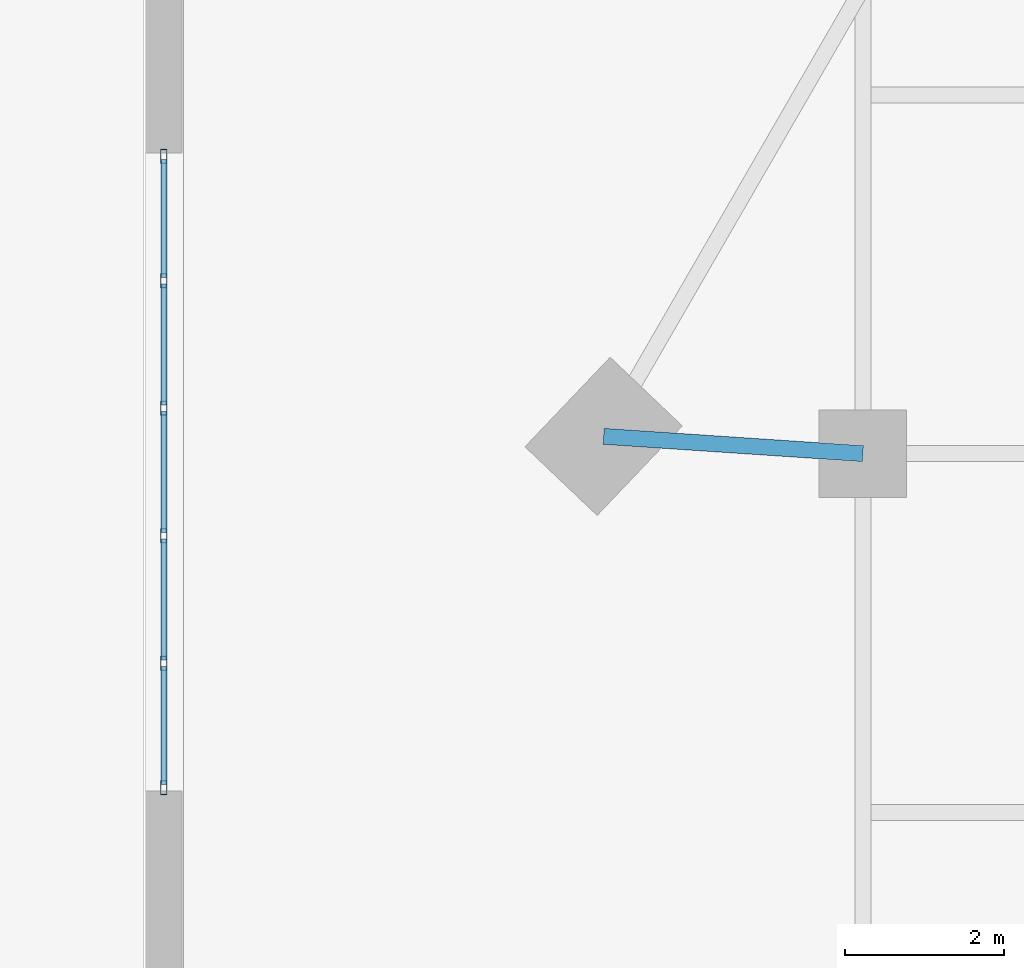
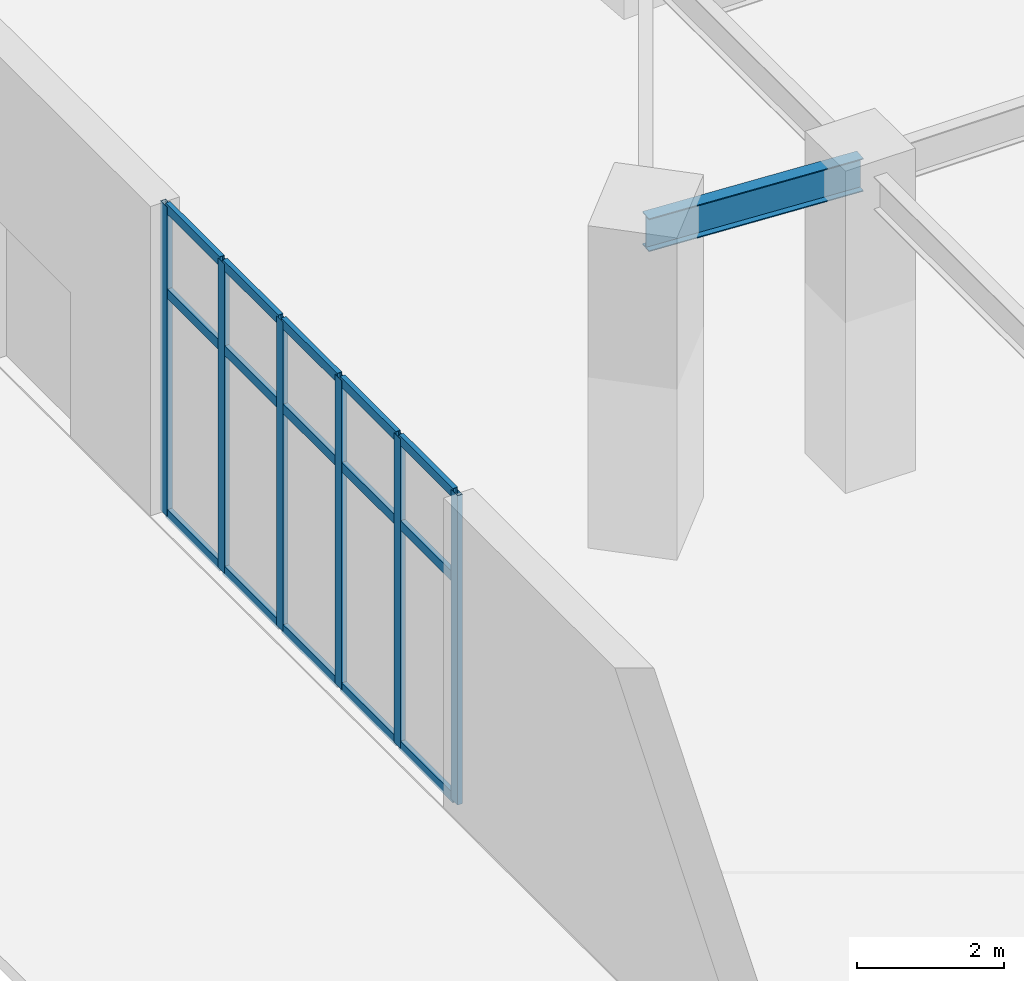
# One storey, part 13 of 30: 21 members, 1 beam, 1 element without a shape of its own.
"""IFC4 building model written with IfcOpenShell, lengths in metres."""

from ifc_helpers import new_model, si_unit, direction, frame, origin, origin_2d, place, context, subcontext, project, spatial, hollow_rectangle, i_section, extrude, source, transform, mapped, material, layer, layer_set, material_profile, profile_set, type_object, element, aggregate, save


model = new_model("IFC4")

# Units and contexts
model_context = context("Model", 3, precision=1e-05, world=origin(), true_north=direction((0.0, 1.0)))
body_context = subcontext(model_context, "Body", "Model", "MODEL_VIEW")
ifc_project = project(units=[si_unit("LENGTHUNIT", "METRE"), si_unit("AREAUNIT", "SQUARE_METRE"), si_unit("VOLUMEUNIT", "CUBIC_METRE"), si_unit("PLANEANGLEUNIT", "RADIAN"), si_unit("MASSUNIT", "GRAM", prefix="KILO")], contexts=[model_context])

# Site, building, storey
site_placement = place(None, origin())
site = spatial("IfcSite", under=ifc_project, at=site_placement, CompositionType="ELEMENT")
building_placement = place(site_placement, origin())
building = spatial("IfcBuilding", under=site, at=building_placement, Name="Liaohun Quay Tower", CompositionType="ELEMENT")
storey_placement = place(building_placement, origin())
storey = spatial("IfcBuildingStorey", under=building, at=storey_placement, Name="L01", CompositionType="ELEMENT", Elevation=0.0)

# Beam
ifc_material_1 = material(Name="Steel Q355D", Category="steel")
ifc_material_profile_1 = material_profile(ifc_material_1, i_section(OverallWidth=0.199951171875, OverallDepth=0.550048828125, WebThickness=0.010009765625, FlangeThickness=0.01611328125, at=origin_2d()), Name="HN550x200x10x16")
ifc_profile_set_1 = profile_set([ifc_material_profile_1], Name="Steel Q355D")
beam_type = type_object("IfcBeamType", Name="BM-POD-G2", PredefinedType="BEAM", material=ifc_profile_set_1)
shared_shape_1 = source(origin(), body_context, "Body", "SweptSolid", [
    extrude(i_section(OverallWidth=0.199951171875, OverallDepth=0.550048828125, WebThickness=0.010009765625, FlangeThickness=0.01611328125, at=origin_2d()), origin(), (0.0, 0.0, 1.0), 3.25927734375),
])
beam_placement = place(storey_placement, frame((20.748046875, 69.217041015625, 4.875), z_axis=(0.997780183272, -0.066593587307, 0.0), x_axis=(0.066593587307, 0.997780183272, 0.0)))
element("IfcBeam", 1, at=beam_placement, inside=storey, type_object=beam_type, Name="L01 Primary Grid Girder PC03-PG10", PredefinedType="BEAM", context=body_context, shape_type="MappedRepresentation", body=[
    mapped(shared_shape_1, transform((0.0, 0.0, 0.0), x_axis=(1.0, 0.0, 0.0), y_axis=(0.0, 1.0, 0.0), z_axis=(0.0, 0.0, 1.0), scale=1.0)),
])

# Curtain wall, members
ifc_material_2 = material(Name="Thermally broken podium arcade storefront curtain wall")
ifc_layer = layer(ifc_material_2, 0.179931640625, Name="Thermally broken podium arcade storefront curtain wall")
ifc_layer_set = layer_set([ifc_layer], Name="Thermally broken podium arcade storefront curtain wall")
curtain_wall_type = type_object("IfcCurtainWallType", Name="CW-POD-RET", PredefinedType="NOTDEFINED", material=ifc_layer_set)
curtain_wall_placement = place(storey_placement, origin())
curtain_wall = element("IfcCurtainWall", 2, at=curtain_wall_placement, inside=storey, type_object=curtain_wall_type, Name="L01 Podium Arcade Storefront CW2-W1", PredefinedType="NOTDEFINED")
ifc_material_3 = material(Name="Anodised aluminium 6063-T6", Category="aluminium")
ifc_material_profile_2 = material_profile(ifc_material_3, hollow_rectangle(XDim=0.080078125, YDim=0.179931640625, WallThickness=0.0048828125, at=origin_2d()), Name="RHS180x80x5")
ifc_profile_set_2 = profile_set([ifc_material_profile_2], Name="Anodised aluminium 6063-T6")
member_type_1 = type_object("IfcMemberType", Name="MEM-CWM-POD", PredefinedType="MULLION", material=ifc_profile_set_2)
shared_shape_2 = source(origin(), body_context, "Body", "SweptSolid", [
    extrude(hollow_rectangle(XDim=0.080078125, YDim=0.179931640625, WallThickness=0.0048828125, at=origin_2d()), origin(), (0.0, 0.0, 1.0), 5.14990234375),
])
member_1_placement = place(storey_placement, frame((15.22998046875, 72.72998046875, 0.0), z_axis=(0.0, 0.0, 1.0), x_axis=(1.0, 0.0, 0.0)))
member_1 = element("IfcMember", 3, at=member_1_placement, type_object=member_type_1, Name="CW2 mullion 1", PredefinedType="MULLION", context=body_context, shape_type="MappedRepresentation", body=[
    mapped(shared_shape_2, transform((0.0, 0.0, 0.0), x_axis=(1.0, 0.0, 0.0), y_axis=(0.0, 1.0, 0.0), z_axis=(0.0, 0.0, 1.0), scale=1.0)),
])
member_2_placement = place(storey_placement, frame((15.22998046875, 71.169921875, 0.0), z_axis=(0.0, 0.0, 1.0), x_axis=(1.0, 0.0, 0.0)))
member_2 = element("IfcMember", 4, at=member_2_placement, type_object=member_type_1, Name="CW2 mullion 2", PredefinedType="MULLION", context=body_context, shape_type="MappedRepresentation", body=[
    mapped(shared_shape_2, transform((0.0, 0.0, 0.0), x_axis=(1.0, 0.0, 0.0), y_axis=(0.0, 1.0, 0.0), z_axis=(0.0, 0.0, 1.0), scale=1.0)),
])
member_3_placement = place(storey_placement, frame((15.22998046875, 69.570068359375, 0.0), z_axis=(0.0, 0.0, 1.0), x_axis=(1.0, 0.0, 0.0)))
member_3 = element("IfcMember", 5, at=member_3_placement, type_object=member_type_1, Name="CW2 mullion 3", PredefinedType="MULLION", context=body_context, shape_type="MappedRepresentation", body=[
    mapped(shared_shape_2, transform((0.0, 0.0, 0.0), x_axis=(1.0, 0.0, 0.0), y_axis=(0.0, 1.0, 0.0), z_axis=(0.0, 0.0, 1.0), scale=1.0)),
])
member_4_placement = place(storey_placement, frame((15.22998046875, 67.969970703125, 0.0), z_axis=(0.0, 0.0, 1.0), x_axis=(1.0, 0.0, 0.0)))
member_4 = element("IfcMember", 6, at=member_4_placement, type_object=member_type_1, Name="CW2 mullion 4", PredefinedType="MULLION", context=body_context, shape_type="MappedRepresentation", body=[
    mapped(shared_shape_2, transform((0.0, 0.0, 0.0), x_axis=(1.0, 0.0, 0.0), y_axis=(0.0, 1.0, 0.0), z_axis=(0.0, 0.0, 1.0), scale=1.0)),
])
member_5_placement = place(storey_placement, frame((15.22998046875, 66.3701171875, 0.0), z_axis=(0.0, 0.0, 1.0), x_axis=(1.0, 0.0, 0.0)))
member_5 = element("IfcMember", 7, at=member_5_placement, type_object=member_type_1, Name="CW2 mullion 5", PredefinedType="MULLION", context=body_context, shape_type="MappedRepresentation", body=[
    mapped(shared_shape_2, transform((0.0, 0.0, 0.0), x_axis=(1.0, 0.0, 0.0), y_axis=(0.0, 1.0, 0.0), z_axis=(0.0, 0.0, 1.0), scale=1.0)),
])
member_6_placement = place(storey_placement, frame((15.22998046875, 64.81005859375, 0.0), z_axis=(0.0, 0.0, 1.0), x_axis=(1.0, 0.0, 0.0)))
member_6 = element("IfcMember", 8, at=member_6_placement, type_object=member_type_1, Name="CW2 mullion 6", PredefinedType="MULLION", context=body_context, shape_type="MappedRepresentation", body=[
    mapped(shared_shape_2, transform((0.0, 0.0, 0.0), x_axis=(1.0, 0.0, 0.0), y_axis=(0.0, 1.0, 0.0), z_axis=(0.0, 0.0, 1.0), scale=1.0)),
])
ifc_material_profile_3 = material_profile(ifc_material_3, hollow_rectangle(XDim=0.074951171875, YDim=0.159912109375, WallThickness=0.0048828125, at=origin_2d()), Name="RHS160x75x5")
ifc_profile_set_3 = profile_set([ifc_material_profile_3], Name="Anodised aluminium 6063-T6")
member_type_2 = type_object("IfcMemberType", Name="MEM-CWT-POD", PredefinedType="USERDEFINED", material=ifc_profile_set_3)
shared_shape_3 = source(origin(), body_context, "Body", "SweptSolid", [
    extrude(hollow_rectangle(XDim=0.074951171875, YDim=0.159912109375, WallThickness=0.0048828125, at=origin_2d()), origin(), (0.0, 0.0, 1.0), 1.47998046875),
])
member_7_placement = place(storey_placement, frame((15.22998046875, 72.68994140625, 0.03759765625), z_axis=(0.0, -1.0, 0.0), x_axis=(1.0, 0.0, 0.0)))
member_7 = element("IfcMember", 9, at=member_7_placement, type_object=member_type_2, Name="CW2 transom 1.1", ObjectType="TRANSOM", PredefinedType="USERDEFINED", context=body_context, shape_type="MappedRepresentation", body=[
    mapped(shared_shape_3, transform((0.0, 0.0, 0.0), x_axis=(1.0, 0.0, 0.0), y_axis=(0.0, 1.0, 0.0), z_axis=(0.0, 0.0, 1.0), scale=1.0)),
])
member_8_placement = place(storey_placement, frame((15.22998046875, 72.68994140625, 3.7080078125), z_axis=(0.0, -1.0, 0.0), x_axis=(1.0, 0.0, 0.0)))
member_8 = element("IfcMember", 10, at=member_8_placement, type_object=member_type_2, Name="CW2 transom 1.2", ObjectType="TRANSOM", PredefinedType="USERDEFINED", context=body_context, shape_type="MappedRepresentation", body=[
    mapped(shared_shape_3, transform((0.0, 0.0, 0.0), x_axis=(1.0, 0.0, 0.0), y_axis=(0.0, 1.0, 0.0), z_axis=(0.0, 0.0, 1.0), scale=1.0)),
])
member_9_placement = place(storey_placement, frame((15.22998046875, 72.68994140625, 5.112548828125), z_axis=(0.0, -1.0, 0.0), x_axis=(1.0, 0.0, 0.0)))
member_9 = element("IfcMember", 11, at=member_9_placement, type_object=member_type_2, Name="CW2 transom 1.3", ObjectType="TRANSOM", PredefinedType="USERDEFINED", context=body_context, shape_type="MappedRepresentation", body=[
    mapped(shared_shape_3, transform((0.0, 0.0, 0.0), x_axis=(1.0, 0.0, 0.0), y_axis=(0.0, 1.0, 0.0), z_axis=(0.0, 0.0, 1.0), scale=1.0)),
])
member_10_placement = place(storey_placement, frame((15.22998046875, 66.330078125, 0.03759765625), z_axis=(0.0, -1.0, 0.0), x_axis=(1.0, 0.0, 0.0)))
member_10 = element("IfcMember", 12, at=member_10_placement, type_object=member_type_2, Name="CW2 transom 5.1", ObjectType="TRANSOM", PredefinedType="USERDEFINED", context=body_context, shape_type="MappedRepresentation", body=[
    mapped(shared_shape_3, transform((0.0, 0.0, 0.0), x_axis=(1.0, 0.0, 0.0), y_axis=(0.0, 1.0, 0.0), z_axis=(0.0, 0.0, 1.0), scale=1.0)),
])
member_11_placement = place(storey_placement, frame((15.22998046875, 66.330078125, 3.7080078125), z_axis=(0.0, -1.0, 0.0), x_axis=(1.0, 0.0, 0.0)))
member_11 = element("IfcMember", 13, at=member_11_placement, type_object=member_type_2, Name="CW2 transom 5.2", ObjectType="TRANSOM", PredefinedType="USERDEFINED", context=body_context, shape_type="MappedRepresentation", body=[
    mapped(shared_shape_3, transform((0.0, 0.0, 0.0), x_axis=(1.0, 0.0, 0.0), y_axis=(0.0, 1.0, 0.0), z_axis=(0.0, 0.0, 1.0), scale=1.0)),
])
member_12_placement = place(storey_placement, frame((15.22998046875, 66.330078125, 5.112548828125), z_axis=(0.0, -1.0, 0.0), x_axis=(1.0, 0.0, 0.0)))
member_12 = element("IfcMember", 14, at=member_12_placement, type_object=member_type_2, Name="CW2 transom 5.3", ObjectType="TRANSOM", PredefinedType="USERDEFINED", context=body_context, shape_type="MappedRepresentation", body=[
    mapped(shared_shape_3, transform((0.0, 0.0, 0.0), x_axis=(1.0, 0.0, 0.0), y_axis=(0.0, 1.0, 0.0), z_axis=(0.0, 0.0, 1.0), scale=1.0)),
])
shared_shape_4 = source(origin(), body_context, "Body", "SweptSolid", [
    extrude(hollow_rectangle(XDim=0.074951171875, YDim=0.159912109375, WallThickness=0.0048828125, at=origin_2d()), origin(), (0.0, 0.0, 1.0), 1.519775390625),
])
member_13_placement = place(storey_placement, frame((15.22998046875, 71.1298828125, 0.03759765625), z_axis=(0.0, -1.0, 0.0), x_axis=(1.0, 0.0, 0.0)))
member_13 = element("IfcMember", 15, at=member_13_placement, type_object=member_type_2, Name="CW2 transom 2.1", ObjectType="TRANSOM", PredefinedType="USERDEFINED", context=body_context, shape_type="MappedRepresentation", body=[
    mapped(shared_shape_4, transform((0.0, 0.0, 0.0), x_axis=(1.0, 0.0, 0.0), y_axis=(0.0, 1.0, 0.0), z_axis=(0.0, 0.0, 1.0), scale=1.0)),
])
member_14_placement = place(storey_placement, frame((15.22998046875, 71.1298828125, 3.7080078125), z_axis=(0.0, -1.0, 0.0), x_axis=(1.0, 0.0, 0.0)))
member_14 = element("IfcMember", 16, at=member_14_placement, type_object=member_type_2, Name="CW2 transom 2.2", ObjectType="TRANSOM", PredefinedType="USERDEFINED", context=body_context, shape_type="MappedRepresentation", body=[
    mapped(shared_shape_4, transform((0.0, 0.0, 0.0), x_axis=(1.0, 0.0, 0.0), y_axis=(0.0, 1.0, 0.0), z_axis=(0.0, 0.0, 1.0), scale=1.0)),
])
member_15_placement = place(storey_placement, frame((15.22998046875, 71.1298828125, 5.112548828125), z_axis=(0.0, -1.0, 0.0), x_axis=(1.0, 0.0, 0.0)))
member_15 = element("IfcMember", 17, at=member_15_placement, type_object=member_type_2, Name="CW2 transom 2.3", ObjectType="TRANSOM", PredefinedType="USERDEFINED", context=body_context, shape_type="MappedRepresentation", body=[
    mapped(shared_shape_4, transform((0.0, 0.0, 0.0), x_axis=(1.0, 0.0, 0.0), y_axis=(0.0, 1.0, 0.0), z_axis=(0.0, 0.0, 1.0), scale=1.0)),
])
shared_shape_5 = source(origin(), body_context, "Body", "SweptSolid", [
    extrude(hollow_rectangle(XDim=0.074951171875, YDim=0.159912109375, WallThickness=0.0048828125, at=origin_2d()), origin(), (0.0, 0.0, 1.0), 1.52001953125),
])
member_16_placement = place(storey_placement, frame((15.22998046875, 69.530029296875, 0.03759765625), z_axis=(0.0, -1.0, 0.0), x_axis=(1.0, 0.0, 0.0)))
member_16 = element("IfcMember", 18, at=member_16_placement, type_object=member_type_2, Name="CW2 transom 3.1", ObjectType="TRANSOM", PredefinedType="USERDEFINED", context=body_context, shape_type="MappedRepresentation", body=[
    mapped(shared_shape_5, transform((0.0, 0.0, 0.0), x_axis=(1.0, 0.0, 0.0), y_axis=(0.0, 1.0, 0.0), z_axis=(0.0, 0.0, 1.0), scale=1.0)),
])
member_17_placement = place(storey_placement, frame((15.22998046875, 69.530029296875, 3.7080078125), z_axis=(0.0, -1.0, 0.0), x_axis=(1.0, 0.0, 0.0)))
member_17 = element("IfcMember", 19, at=member_17_placement, type_object=member_type_2, Name="CW2 transom 3.2", ObjectType="TRANSOM", PredefinedType="USERDEFINED", context=body_context, shape_type="MappedRepresentation", body=[
    mapped(shared_shape_5, transform((0.0, 0.0, 0.0), x_axis=(1.0, 0.0, 0.0), y_axis=(0.0, 1.0, 0.0), z_axis=(0.0, 0.0, 1.0), scale=1.0)),
])
member_18_placement = place(storey_placement, frame((15.22998046875, 69.530029296875, 5.112548828125), z_axis=(0.0, -1.0, 0.0), x_axis=(1.0, 0.0, 0.0)))
member_18 = element("IfcMember", 20, at=member_18_placement, type_object=member_type_2, Name="CW2 transom 3.3", ObjectType="TRANSOM", PredefinedType="USERDEFINED", context=body_context, shape_type="MappedRepresentation", body=[
    mapped(shared_shape_5, transform((0.0, 0.0, 0.0), x_axis=(1.0, 0.0, 0.0), y_axis=(0.0, 1.0, 0.0), z_axis=(0.0, 0.0, 1.0), scale=1.0)),
])
member_19_placement = place(storey_placement, frame((15.22998046875, 67.929931640625, 0.03759765625), z_axis=(0.0, -1.0, 0.0), x_axis=(1.0, 0.0, 0.0)))
member_19 = element("IfcMember", 21, at=member_19_placement, type_object=member_type_2, Name="CW2 transom 4.1", ObjectType="TRANSOM", PredefinedType="USERDEFINED", context=body_context, shape_type="MappedRepresentation", body=[
    mapped(shared_shape_5, transform((0.0, 0.0, 0.0), x_axis=(1.0, 0.0, 0.0), y_axis=(0.0, 1.0, 0.0), z_axis=(0.0, 0.0, 1.0), scale=1.0)),
])
member_20_placement = place(storey_placement, frame((15.22998046875, 67.929931640625, 3.7080078125), z_axis=(0.0, -1.0, 0.0), x_axis=(1.0, 0.0, 0.0)))
member_20 = element("IfcMember", 22, at=member_20_placement, type_object=member_type_2, Name="CW2 transom 4.2", ObjectType="TRANSOM", PredefinedType="USERDEFINED", context=body_context, shape_type="MappedRepresentation", body=[
    mapped(shared_shape_5, transform((0.0, 0.0, 0.0), x_axis=(1.0, 0.0, 0.0), y_axis=(0.0, 1.0, 0.0), z_axis=(0.0, 0.0, 1.0), scale=1.0)),
])
member_21_placement = place(storey_placement, frame((15.22998046875, 67.929931640625, 5.112548828125), z_axis=(0.0, -1.0, 0.0), x_axis=(1.0, 0.0, 0.0)))
member_21 = element("IfcMember", 23, at=member_21_placement, type_object=member_type_2, Name="CW2 transom 4.3", ObjectType="TRANSOM", PredefinedType="USERDEFINED", context=body_context, shape_type="MappedRepresentation", body=[
    mapped(shared_shape_5, transform((0.0, 0.0, 0.0), x_axis=(1.0, 0.0, 0.0), y_axis=(0.0, 1.0, 0.0), z_axis=(0.0, 0.0, 1.0), scale=1.0)),
])
aggregate(curtain_wall, [member_1, member_2, member_3, member_4, member_5, member_6, member_7, member_8, member_9, member_13, member_14, member_15, member_16, member_17, member_18, member_19, member_20, member_21, member_10, member_11, member_12])

save(model, "model.ifc")
